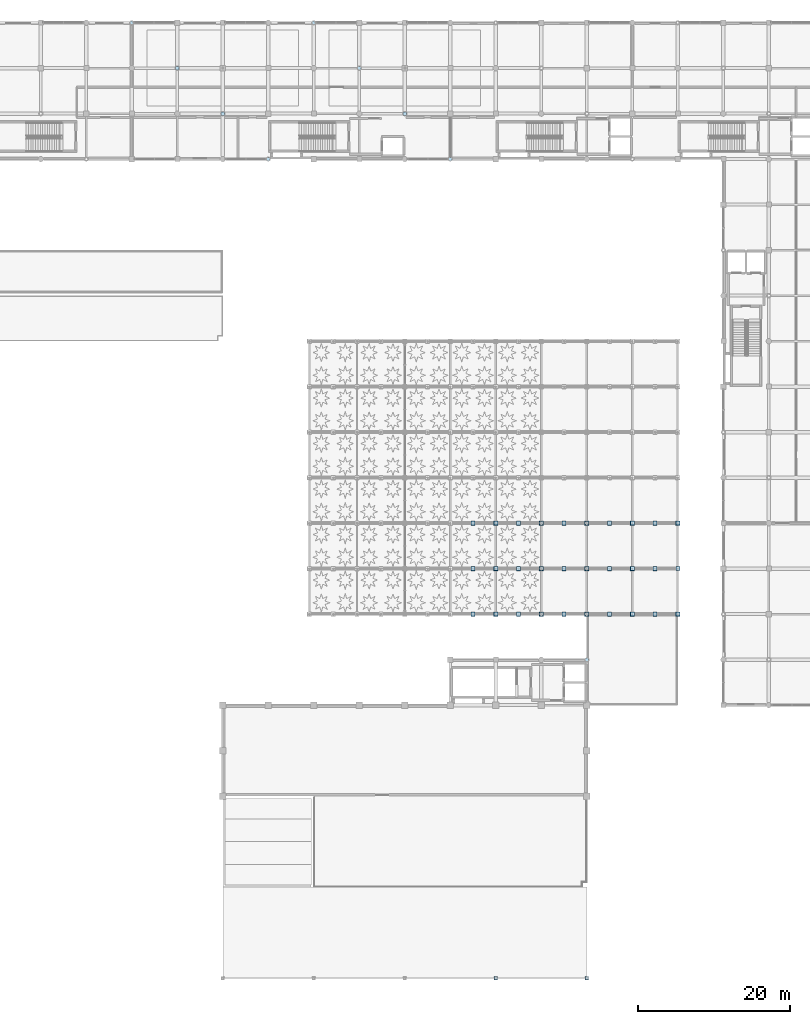
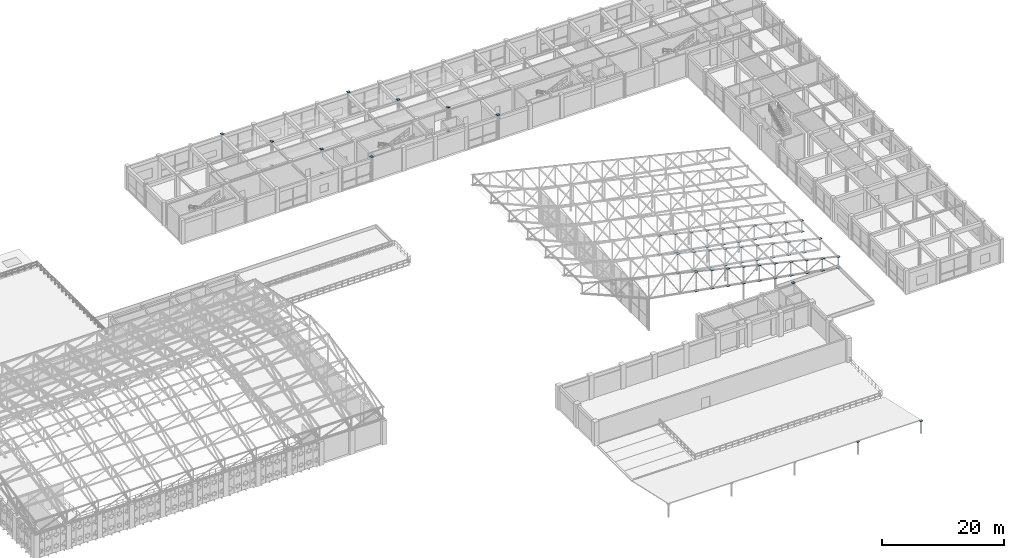
# One storey, part 89 of 112: 73 plates.
"""IFC4 building model written with IfcOpenShell, lengths in metres."""

from ifc_helpers import new_model, si_unit, direction, frame, origin, origin_2d, place, context, subcontext, project, spatial, rectangle, extrude, material, layer, layer_set, type_object, element, save


model = new_model("IFC4")

# Units and contexts
model_context = context("Model", 3, precision=1e-05, world=origin(), true_north=direction((0.0, 1.0)))
body_context = subcontext(model_context, "Body", "Model", "MODEL_VIEW")
ifc_project = project(units=[si_unit("LENGTHUNIT", "METRE"), si_unit("AREAUNIT", "SQUARE_METRE"), si_unit("VOLUMEUNIT", "CUBIC_METRE"), si_unit("PLANEANGLEUNIT", "RADIAN"), si_unit("MASSUNIT", "GRAM", prefix="KILO"), si_unit("THERMODYNAMICTEMPERATUREUNIT", "KELVIN"), si_unit("POWERUNIT", "WATT")], contexts=[model_context])

# Site, building, storey
site_placement = place(None, origin())
site = spatial("IfcSite", under=ifc_project, at=site_placement, CompositionType="ELEMENT")
building_placement = place(site_placement, origin())
building = spatial("IfcBuilding", under=site, at=building_placement, Name="Phaisarnlok Congress Hotel", CompositionType="ELEMENT")
storey_placement = place(building_placement, frame((0.0, 0.0, 19.800048828125)))
storey = spatial("IfcBuildingStorey", under=building, at=storey_placement, Name="L04", CompositionType="ELEMENT", Elevation=19.800048828125)

# Plates
ifc_material = material(Name="Steel S355", Category="steel")
ifc_layer_1 = layer(ifc_material, 0.0400390625, Name="Steel S355")
ifc_layer_set_1 = layer_set([ifc_layer_1], Name="Steel S355")
plate_type_1 = type_object("IfcPlateType", Name="PLT-CAP-480", PredefinedType="SHEET", material=ifc_layer_set_1)
for number, where, z_axis, x_axis, name in (
    (1, (84.0, 126.0, 4.780029296875), (0.0, 0.0, 1.0), (1.0, 0.0, 0.0), "Steel column cap/base plate NP-04 at NP-COLT-COL-L04-084-126"),
    (2, (90.0, 120.0, -0.02001953125), (0.0, 0.0, 1.0), (1.0, 0.0, 0.0), "Steel column cap/base plate NP-04 at NP-COLB-COL-L04-090-120"),
    (3, (90.0, 120.0, 4.780029296875), (0.0, 0.0, 1.0), (1.0, 0.0, 0.0), "Steel column cap/base plate NP-04 at NP-COLT-COL-L04-090-120"),
    (4, (96.0, 114.0, -0.02001953125), (0.0, 0.0, 1.0), (1.0, 0.0, 0.0), "Steel column cap/base plate NP-04 at NP-COLB-COL-L04-096-114"),
    (5, (96.0, 114.0, 4.780029296875), (0.0, 0.0, 1.0), (1.0, 0.0, 0.0), "Steel column cap/base plate NP-04 at NP-COLT-COL-L04-096-114"),
    (6, (102.0, 108.0, 4.780029296875), (0.0, 0.0, 1.0), (1.0, 0.0, 0.0), "Steel column cap/base plate NP-04 at NP-COLT-COL-L04-102-108"),
    (7, (108.0, 126.0, 4.780029296875), (0.0, 0.0, 1.0), (1.0, 0.0, 0.0), "Steel column cap/base plate NP-04 at NP-COLT-COL-L04-108-126"),
    (8, (114.0, 120.0, 4.780029296875), (0.0, 0.0, 1.0), (1.0, 0.0, 0.0), "Steel column cap/base plate NP-04 at NP-COLT-COL-L04-114-120"),
    (9, (120.0, 114.0, -0.02001953125), (0.0, 0.0, 1.0), (1.0, 0.0, 0.0), "Steel column cap/base plate NP-04 at NP-COLB-COL-L04-120-114"),
    (10, (120.0, 114.0, 4.780029296875), (0.0, 0.0, 1.0), (1.0, 0.0, 0.0), "Steel column cap/base plate NP-04 at NP-COLT-COL-L04-120-114"),
    (11, (126.0, 108.0, 4.780029296875), (0.0, 0.0, 1.0), (1.0, 0.0, 0.0), "Steel column cap/base plate NP-04 at NP-COLT-COL-L04-126-108"),
    (12, (144.0, 42.0, 4.780029296875), (0.0, 0.0, 1.0), (1.0, 0.0, 0.0), "Steel column cap/base plate NP-04 at NP-COLT-COL-L04-144-042"),
):
    element("IfcPlate", number, at=place(storey_placement, frame(where, z_axis=z_axis, x_axis=x_axis)), inside=storey, type_object=plate_type_1, Name=name, PredefinedType="SHEET", context=body_context, shape_type="SweptSolid", body=[
        extrude(rectangle(XDim=0.47998046875, YDim=0.47998046875, at=origin_2d()), origin(), (0.0, 0.0, 1.0), 0.0400390625),
    ])
ifc_layer_2 = layer(ifc_material, 0.02001953125, Name="Steel S355")
ifc_layer_set_2 = layer_set([ifc_layer_2], Name="Steel S355")
plate_type_2 = type_object("IfcPlateType", Name="PLT-NODE-480", PredefinedType="SHEET", material=ifc_layer_set_2)
for number, where, z_axis, x_axis, name in (
    (13, (132.0, 0.0, 2.550048828125), (0.0, 0.0, 1.0), (1.0, 0.0, 0.0), "Steel truss node plate NP-03 at NP-V2PR-132"),
    (14, (144.0, 0.0, 2.550048828125), (0.0, 0.0, 1.0), (1.0, 0.0, 0.0), "Steel truss node plate NP-03 at NP-V2PR-144"),
):
    element("IfcPlate", number, at=place(storey_placement, frame(where, z_axis=z_axis, x_axis=x_axis)), inside=storey, type_object=plate_type_2, Name=name, PredefinedType="SHEET", context=body_context, shape_type="SweptSolid", body=[
        extrude(rectangle(XDim=0.47998046875, YDim=0.47998046875, at=origin_2d()), origin(), (0.0, 0.0, 1.0), 0.02001953125),
    ])
ifc_layer_3 = layer(ifc_material, 0.02490234375, Name="Steel S355")
ifc_layer_set_3 = layer_set([ifc_layer_3], Name="Steel S355")
plate_type_3 = type_object("IfcPlateType", Name="PLT-NODE-520", PredefinedType="SHEET", material=ifc_layer_set_3)
for number, where, z_axis, x_axis, name in (
    (15, (156.0, 48.0, 2.1875), (0.0, 0.0, 1.0), (1.0, 0.0, 0.0), "Steel truss node plate NP-02 at NP-WRC-T-0-00"),
    (16, (153.0, 48.0, 2.903564453125), (0.0, 0.0, 1.0), (1.0, 0.0, 0.0), "Steel truss node plate NP-02 at NP-WRC-T-0-01"),
    (17, (150.0, 48.0, 3.61962890625), (0.0, 0.0, 1.0), (1.0, 0.0, 0.0), "Steel truss node plate NP-02 at NP-WRC-T-0-02"),
    (18, (147.0, 48.0, 4.335693359375), (0.0, 0.0, 1.0), (1.0, 0.0, 0.0), "Steel truss node plate NP-02 at NP-WRC-T-0-03"),
    (19, (144.0, 48.0, 5.0517578125), (0.0, 0.0, 1.0), (1.0, 0.0, 0.0), "Steel truss node plate NP-02 at NP-WRC-T-0-04"),
    (20, (141.0, 48.0, 5.767822265625), (0.0, 0.0, 1.0), (1.0, 0.0, 0.0), "Steel truss node plate NP-02 at NP-WRC-T-0-05"),
    (21, (138.0, 48.0, 6.48388671875), (0.0, 0.0, 1.0), (1.0, 0.0, 0.0), "Steel truss node plate NP-02 at NP-WRC-T-0-06"),
    (22, (135.0, 48.0, 7.199951171875), (0.0, 0.0, 1.0), (1.0, 0.0, 0.0), "Steel truss node plate NP-02 at NP-WRC-T-0-07"),
    (23, (132.0, 48.0, 7.916015625), (0.0, 0.0, 1.0), (1.0, 0.0, 0.0), "Steel truss node plate NP-02 at NP-WRC-T-0-08"),
    (24, (129.0, 48.0, 8.6318359375), (0.0, 0.0, 1.0), (1.0, 0.0, 0.0), "Steel truss node plate NP-02 at NP-WRC-T-0-09"),
    (25, (156.0, 54.0, 2.1875), (0.0, 0.0, 1.0), (1.0, 0.0, 0.0), "Steel truss node plate NP-02 at NP-WRC-T-1-00"),
    (26, (153.0, 54.0, 2.903564453125), (0.0, 0.0, 1.0), (1.0, 0.0, 0.0), "Steel truss node plate NP-02 at NP-WRC-T-1-01"),
    (27, (150.0, 54.0, 3.61962890625), (0.0, 0.0, 1.0), (1.0, 0.0, 0.0), "Steel truss node plate NP-02 at NP-WRC-T-1-02"),
    (28, (147.0, 54.0, 4.335693359375), (0.0, 0.0, 1.0), (1.0, 0.0, 0.0), "Steel truss node plate NP-02 at NP-WRC-T-1-03"),
    (29, (144.0, 54.0, 5.0517578125), (0.0, 0.0, 1.0), (1.0, 0.0, 0.0), "Steel truss node plate NP-02 at NP-WRC-T-1-04"),
    (30, (141.0, 54.0, 5.767822265625), (0.0, 0.0, 1.0), (1.0, 0.0, 0.0), "Steel truss node plate NP-02 at NP-WRC-T-1-05"),
    (31, (138.0, 54.0, 6.48388671875), (0.0, 0.0, 1.0), (1.0, 0.0, 0.0), "Steel truss node plate NP-02 at NP-WRC-T-1-06"),
    (32, (135.0, 54.0, 7.199951171875), (0.0, 0.0, 1.0), (1.0, 0.0, 0.0), "Steel truss node plate NP-02 at NP-WRC-T-1-07"),
    (33, (132.0, 54.0, 7.916015625), (0.0, 0.0, 1.0), (1.0, 0.0, 0.0), "Steel truss node plate NP-02 at NP-WRC-T-1-08"),
    (34, (129.0, 54.0, 8.6318359375), (0.0, 0.0, 1.0), (1.0, 0.0, 0.0), "Steel truss node plate NP-02 at NP-WRC-T-1-09"),
    (35, (156.0, 60.0, 2.1875), (0.0, 0.0, 1.0), (1.0, 0.0, 0.0), "Steel truss node plate NP-02 at NP-WRC-T-2-00"),
    (36, (153.0, 60.0, 2.903564453125), (0.0, 0.0, 1.0), (1.0, 0.0, 0.0), "Steel truss node plate NP-02 at NP-WRC-T-2-01"),
    (37, (150.0, 60.0, 3.61962890625), (0.0, 0.0, 1.0), (1.0, 0.0, 0.0), "Steel truss node plate NP-02 at NP-WRC-T-2-02"),
    (38, (147.0, 60.0, 4.335693359375), (0.0, 0.0, 1.0), (1.0, 0.0, 0.0), "Steel truss node plate NP-02 at NP-WRC-T-2-03"),
    (39, (144.0, 60.0, 5.0517578125), (0.0, 0.0, 1.0), (1.0, 0.0, 0.0), "Steel truss node plate NP-02 at NP-WRC-T-2-04"),
    (40, (141.0, 60.0, 5.767822265625), (0.0, 0.0, 1.0), (1.0, 0.0, 0.0), "Steel truss node plate NP-02 at NP-WRC-T-2-05"),
    (41, (138.0, 60.0, 6.48388671875), (0.0, 0.0, 1.0), (1.0, 0.0, 0.0), "Steel truss node plate NP-02 at NP-WRC-T-2-06"),
    (42, (135.0, 60.0, 7.199951171875), (0.0, 0.0, 1.0), (1.0, 0.0, 0.0), "Steel truss node plate NP-02 at NP-WRC-T-2-07"),
    (43, (132.0, 60.0, 7.916015625), (0.0, 0.0, 1.0), (1.0, 0.0, 0.0), "Steel truss node plate NP-02 at NP-WRC-T-2-08"),
    (44, (129.0, 60.0, 8.6318359375), (0.0, 0.0, 1.0), (1.0, 0.0, 0.0), "Steel truss node plate NP-02 at NP-WRC-T-2-09"),
):
    element("IfcPlate", number, at=place(storey_placement, frame(where, z_axis=z_axis, x_axis=x_axis)), inside=storey, type_object=plate_type_3, Name=name, PredefinedType="SHEET", context=body_context, shape_type="SweptSolid", body=[
        extrude(rectangle(XDim=0.52001953125, YDim=0.52001953125, at=origin_2d()), origin(), (0.0, 0.0, 1.0), 0.02490234375),
    ])
ifc_layer_4 = layer(ifc_material, 0.030029296875, Name="Steel S355")
ifc_layer_set_4 = layer_set([ifc_layer_4], Name="Steel S355")
plate_type_4 = type_object("IfcPlateType", Name="PLT-NODE-560", PredefinedType="SHEET", material=ifc_layer_set_4)
for number, where, z_axis, x_axis, name in (
    (45, (156.0, 48.0, -0.01513671875), (0.0, 0.0, 1.0), (1.0, 0.0, 0.0), "Steel truss node plate NP-01 at NP-WRC-B-0-00"),
    (46, (153.0, 48.0, 0.51806640625), (0.0, 0.0, 1.0), (1.0, 0.0, 0.0), "Steel truss node plate NP-01 at NP-WRC-B-0-01"),
    (47, (150.0, 48.0, 1.0517578125), (0.0, 0.0, 1.0), (1.0, 0.0, 0.0), "Steel truss node plate NP-01 at NP-WRC-B-0-02"),
    (48, (147.0, 48.0, 1.5849609375), (0.0, 0.0, 1.0), (1.0, 0.0, 0.0), "Steel truss node plate NP-01 at NP-WRC-B-0-03"),
    (49, (144.0, 48.0, 2.1181640625), (0.0, 0.0, 1.0), (1.0, 0.0, 0.0), "Steel truss node plate NP-01 at NP-WRC-B-0-04"),
    (50, (141.0, 48.0, 2.6513671875), (0.0, 0.0, 1.0), (1.0, 0.0, 0.0), "Steel truss node plate NP-01 at NP-WRC-B-0-05"),
    (51, (138.0, 48.0, 3.18505859375), (0.0, 0.0, 1.0), (1.0, 0.0, 0.0), "Steel truss node plate NP-01 at NP-WRC-B-0-06"),
    (52, (135.0, 48.0, 3.71826171875), (0.0, 0.0, 1.0), (1.0, 0.0, 0.0), "Steel truss node plate NP-01 at NP-WRC-B-0-07"),
    (53, (132.0, 48.0, 4.25146484375), (0.0, 0.0, 1.0), (1.0, 0.0, 0.0), "Steel truss node plate NP-01 at NP-WRC-B-0-08"),
    (54, (129.0, 48.0, 4.78515625), (0.0, 0.0, 1.0), (1.0, 0.0, 0.0), "Steel truss node plate NP-01 at NP-WRC-B-0-09"),
    (55, (153.0, 54.0, 0.51806640625), (0.0, 0.0, 1.0), (1.0, 0.0, 0.0), "Steel truss node plate NP-01 at NP-WRC-B-1-01"),
    (56, (150.0, 54.0, 1.0517578125), (0.0, 0.0, 1.0), (1.0, 0.0, 0.0), "Steel truss node plate NP-01 at NP-WRC-B-1-02"),
    (57, (147.0, 54.0, 1.5849609375), (0.0, 0.0, 1.0), (1.0, 0.0, 0.0), "Steel truss node plate NP-01 at NP-WRC-B-1-03"),
    (58, (144.0, 54.0, 2.1181640625), (0.0, 0.0, 1.0), (1.0, 0.0, 0.0), "Steel truss node plate NP-01 at NP-WRC-B-1-04"),
    (59, (141.0, 54.0, 2.6513671875), (0.0, 0.0, 1.0), (1.0, 0.0, 0.0), "Steel truss node plate NP-01 at NP-WRC-B-1-05"),
    (60, (138.0, 54.0, 3.18505859375), (0.0, 0.0, 1.0), (1.0, 0.0, 0.0), "Steel truss node plate NP-01 at NP-WRC-B-1-06"),
    (61, (135.0, 54.0, 3.71826171875), (0.0, 0.0, 1.0), (1.0, 0.0, 0.0), "Steel truss node plate NP-01 at NP-WRC-B-1-07"),
    (62, (132.0, 54.0, 4.25146484375), (0.0, 0.0, 1.0), (1.0, 0.0, 0.0), "Steel truss node plate NP-01 at NP-WRC-B-1-08"),
    (63, (129.0, 54.0, 4.78515625), (0.0, 0.0, 1.0), (1.0, 0.0, 0.0), "Steel truss node plate NP-01 at NP-WRC-B-1-09"),
    (64, (156.0, 60.0, -0.01513671875), (0.0, 0.0, 1.0), (1.0, 0.0, 0.0), "Steel truss node plate NP-01 at NP-WRC-B-2-00"),
    (65, (153.0, 60.0, 0.51806640625), (0.0, 0.0, 1.0), (1.0, 0.0, 0.0), "Steel truss node plate NP-01 at NP-WRC-B-2-01"),
    (66, (150.0, 60.0, 1.0517578125), (0.0, 0.0, 1.0), (1.0, 0.0, 0.0), "Steel truss node plate NP-01 at NP-WRC-B-2-02"),
    (67, (147.0, 60.0, 1.5849609375), (0.0, 0.0, 1.0), (1.0, 0.0, 0.0), "Steel truss node plate NP-01 at NP-WRC-B-2-03"),
    (68, (144.0, 60.0, 2.1181640625), (0.0, 0.0, 1.0), (1.0, 0.0, 0.0), "Steel truss node plate NP-01 at NP-WRC-B-2-04"),
    (69, (141.0, 60.0, 2.6513671875), (0.0, 0.0, 1.0), (1.0, 0.0, 0.0), "Steel truss node plate NP-01 at NP-WRC-B-2-05"),
    (70, (138.0, 60.0, 3.18505859375), (0.0, 0.0, 1.0), (1.0, 0.0, 0.0), "Steel truss node plate NP-01 at NP-WRC-B-2-06"),
    (71, (135.0, 60.0, 3.71826171875), (0.0, 0.0, 1.0), (1.0, 0.0, 0.0), "Steel truss node plate NP-01 at NP-WRC-B-2-07"),
    (72, (132.0, 60.0, 4.25146484375), (0.0, 0.0, 1.0), (1.0, 0.0, 0.0), "Steel truss node plate NP-01 at NP-WRC-B-2-08"),
    (73, (129.0, 60.0, 4.78515625), (0.0, 0.0, 1.0), (1.0, 0.0, 0.0), "Steel truss node plate NP-01 at NP-WRC-B-2-09"),
):
    element("IfcPlate", number, at=place(storey_placement, frame(where, z_axis=z_axis, x_axis=x_axis)), inside=storey, type_object=plate_type_4, Name=name, PredefinedType="SHEET", context=body_context, shape_type="SweptSolid", body=[
        extrude(rectangle(XDim=0.56005859375, YDim=0.56005859375, at=origin_2d()), origin(), (0.0, 0.0, 1.0), 0.030029296875),
    ])

save(model, "model.ifc")
